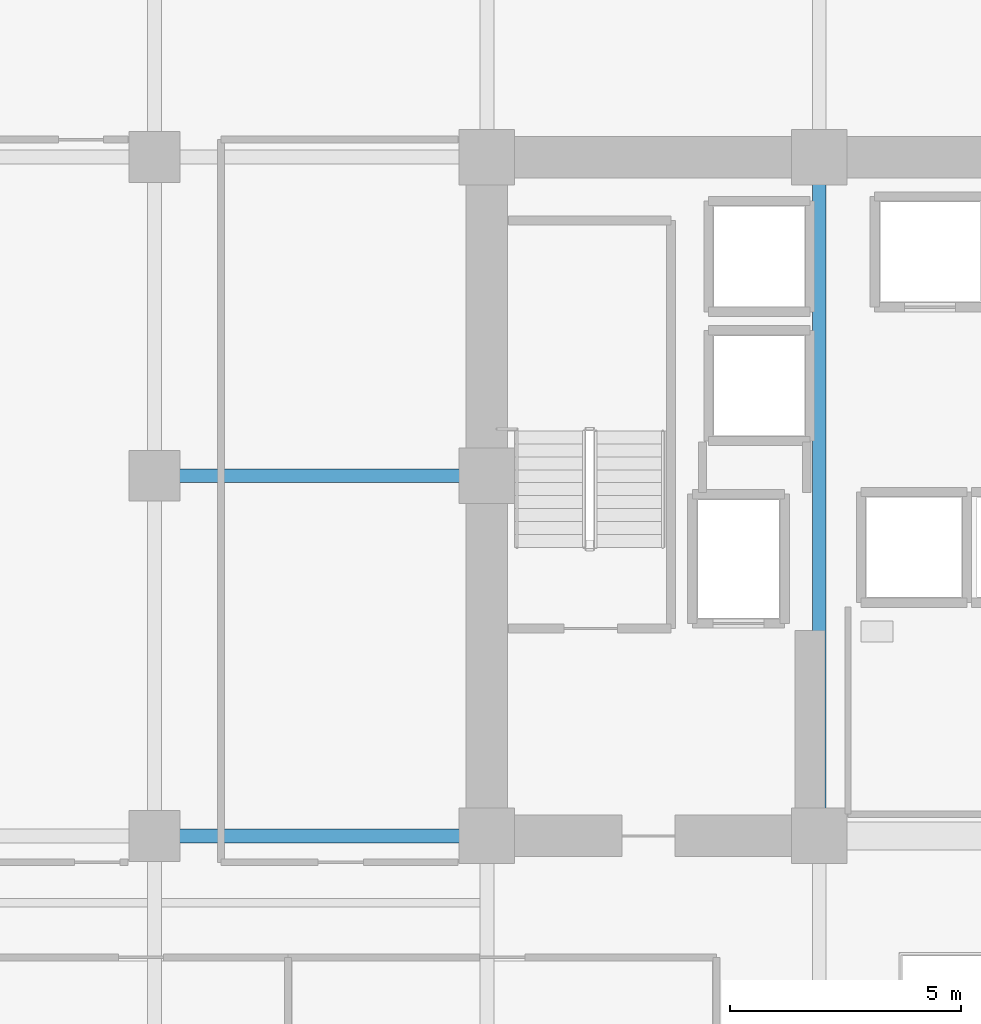
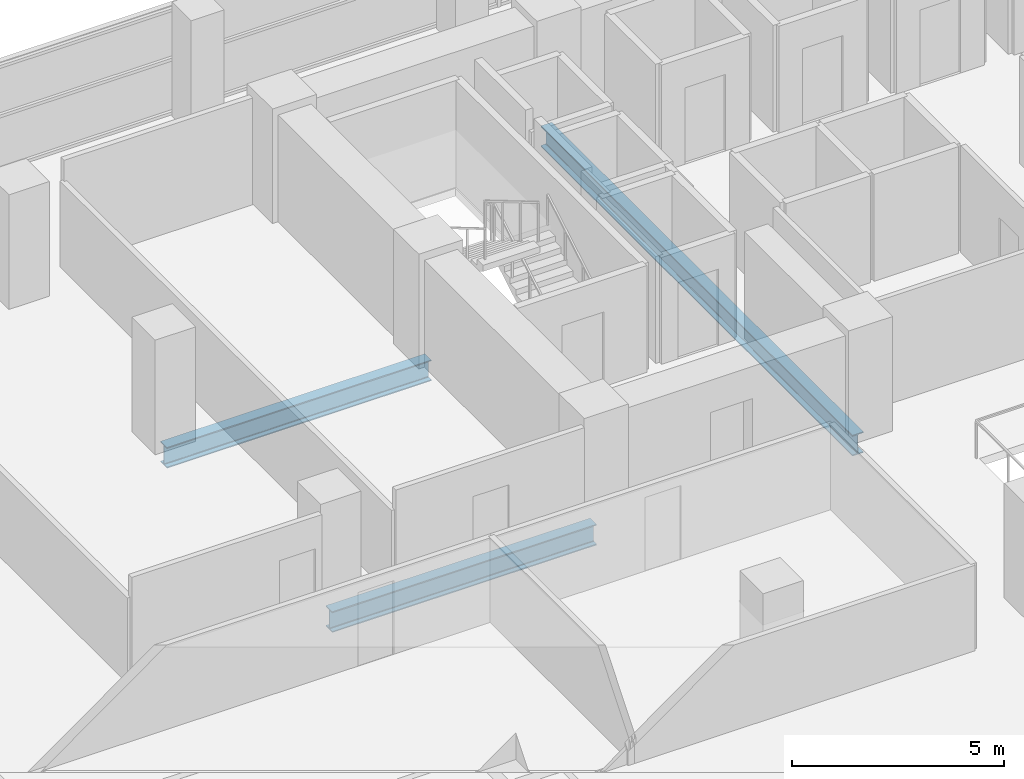
# One storey, part 8 of 30: 3 beams.
"""IFC4 building model written with IfcOpenShell, lengths in metres."""

from ifc_helpers import new_model, si_unit, direction, frame, origin, origin_2d, place, context, subcontext, project, spatial, i_section, extrude, material, material_profile, profile_set, type_object, element, save


model = new_model("IFC4")

# Units and contexts
model_context = context("Model", 3, precision=1e-05, world=origin(), true_north=direction((0.0, 1.0)))
body_context = subcontext(model_context, "Body", "Model", "MODEL_VIEW")
ifc_project = project(units=[si_unit("LENGTHUNIT", "METRE"), si_unit("AREAUNIT", "SQUARE_METRE"), si_unit("VOLUMEUNIT", "CUBIC_METRE"), si_unit("PLANEANGLEUNIT", "RADIAN"), si_unit("MASSUNIT", "GRAM", prefix="KILO")], contexts=[model_context])

# Site, building, storey
site_placement = place(None, origin())
site = spatial("IfcSite", under=ifc_project, at=site_placement, CompositionType="ELEMENT")
building_placement = place(site_placement, origin())
building = spatial("IfcBuilding", under=site, at=building_placement, Name="Zarnakvel Exchange Tower", CompositionType="ELEMENT")
storey_placement = place(building_placement, frame((0.0, 0.0, 40.60009765625)))
storey = spatial("IfcBuildingStorey", under=building, at=storey_placement, Name="L10", CompositionType="ELEMENT", Elevation=40.60009765625)

# Beams
ifc_material = material(Name="Steel S355", Category="steel")
ifc_material_profile = material_profile(ifc_material, i_section(OverallWidth=0.300048828125, OverallDepth=0.60009765625, WebThickness=0.015380859375, FlangeThickness=0.030029296875, FilletRadius=0.027099609375, at=origin_2d()))
ifc_profile_set = profile_set([ifc_material_profile], Name="Steel S355")
beam_type = type_object("IfcBeamType", Name="G-04", PredefinedType="BEAM", material=ifc_profile_set)
for number, where, z_axis, x_axis, name in (
    (1, (-21.60009765625, -1.199951171875, -0.525146484375), (1.0, 0.0, 0.0), (0.0, 1.0, 0.0), "L10 Tower E-W Frame Beam"),
    (2, (-21.60009765625, 6.60009765625, -0.525146484375), (1.0, 0.0, 0.0), (0.0, 1.0, 0.0), "L10 Tower E-W Frame Beam"),
):
    element("IfcBeam", number, at=place(storey_placement, frame(where, z_axis=z_axis, x_axis=x_axis)), inside=storey, type_object=beam_type, Name=name, PredefinedType="BEAM", context=body_context, shape_type="SweptSolid", body=[
        extrude(i_section(OverallWidth=0.300048828125, OverallDepth=0.60009765625, WebThickness=0.015380859375, FlangeThickness=0.030029296875, FilletRadius=0.027099609375, at=origin_2d()), origin(), (0.0, 0.0, 1.0), 7.2001953125),
    ])
beam_placement = place(storey_placement, frame((-7.199951171875, -1.199951171875, -0.525146484375), z_axis=(0.0, 1.0, 0.0), x_axis=(-1.0, 0.0, 0.0)))
element("IfcBeam", 3, at=beam_placement, inside=storey, type_object=beam_type, Name="L10 Tower N-S Frame Beam", PredefinedType="BEAM", context=body_context, shape_type="SweptSolid", body=[
    extrude(i_section(OverallWidth=0.300048828125, OverallDepth=0.60009765625, WebThickness=0.015380859375, FlangeThickness=0.030029296875, FilletRadius=0.027099609375, at=origin_2d()), origin(), (0.0, 0.0, 1.0), 14.699951171875),
])

save(model, "model.ifc")
